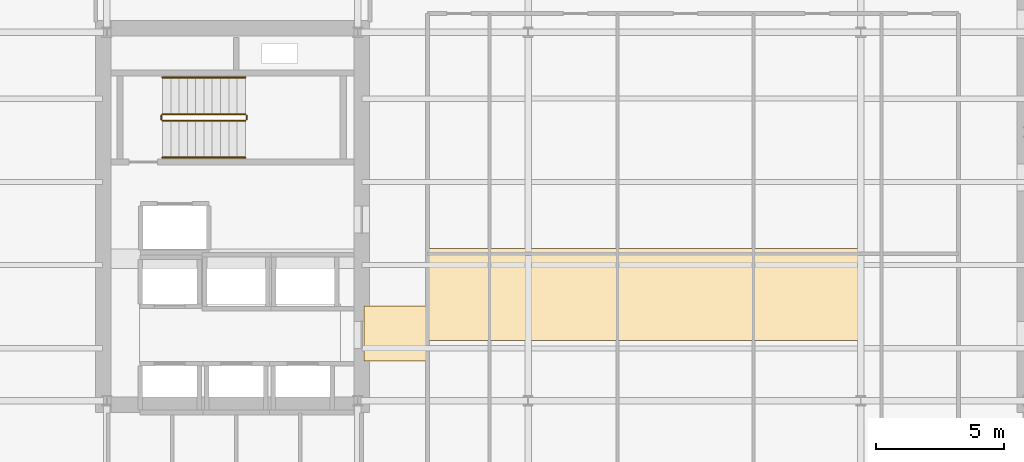
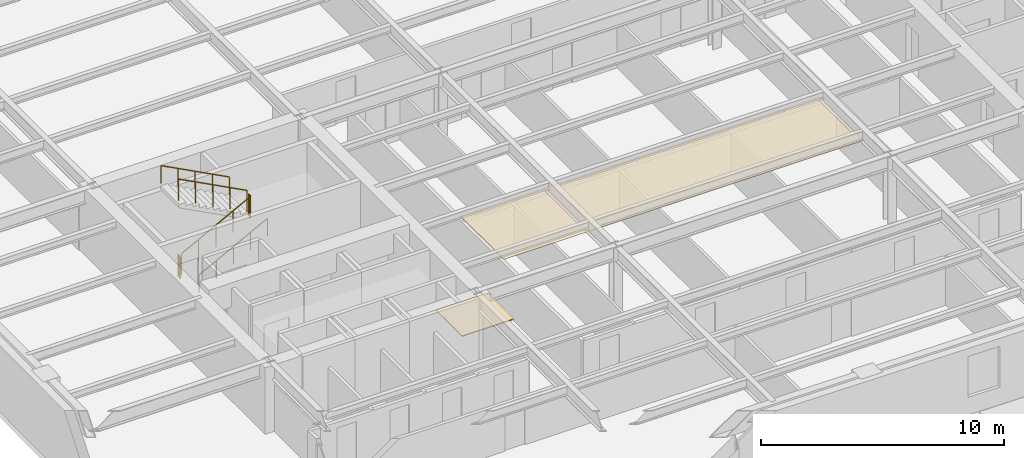
# One storey, part 9 of 11: 6 railings, 2 coverings.
"""IFC4 building model written with IfcOpenShell, lengths in metres."""

from ifc_helpers import new_model, si_unit, direction, frame, origin, origin_2d, place, context, subcontext, project, spatial, polyline, circle, outline, extrude, material, layer, layer_set, type_object, element, save


model = new_model("IFC4")

# Units and contexts
model_context = context("Model", 3, precision=1e-05, world=origin(), true_north=direction((0.0, 1.0)))
body_context = subcontext(model_context, "Body", "Model", "MODEL_VIEW")
ifc_project = project(units=[si_unit("LENGTHUNIT", "METRE"), si_unit("AREAUNIT", "SQUARE_METRE"), si_unit("VOLUMEUNIT", "CUBIC_METRE"), si_unit("PLANEANGLEUNIT", "RADIAN"), si_unit("MASSUNIT", "GRAM", prefix="KILO")], contexts=[model_context])

# Site, building, storey
site_placement = place(None, origin())
site = spatial("IfcSite", under=ifc_project, at=site_placement, CompositionType="ELEMENT")
building_placement = place(site_placement, origin())
building = spatial("IfcBuilding", under=site, at=building_placement, Name="Kolvaren Arena Tower", CompositionType="ELEMENT")
storey_placement = place(building_placement, frame((0.0, 0.0, 207.199951171875)))
storey = spatial("IfcBuildingStorey", under=building, at=storey_placement, Name="L50", CompositionType="ELEMENT", Elevation=207.199951171875)

# Coverings
ifc_material_1 = material(Name="Mineral fibre acoustic ceiling tile", Category="gypsum")
ifc_layer_1 = layer(ifc_material_1, 0.02490234375)
ifc_layer_set_1 = layer_set([ifc_layer_1], Name="Mineral fibre acoustic ceiling tile")
covering_type_1 = type_object("IfcCoveringType", Name="CEIL-ACT-1", PredefinedType="CEILING", material=ifc_layer_set_1)
covering_1_placement = place(storey_placement, frame((0.0, 0.0, 2.52001953125)))
element("IfcCovering", 1, at=covering_1_placement, inside=storey, type_object=covering_type_1, Name="Suspended Ceiling (L50)", PredefinedType="CEILING", context=body_context, shape_type="SweptSolid", body=[
    extrude(outline(polyline([(27.050048828125, 21.800048828125), (27.050048828125, 25.39990234375), (44.10009765625, 25.39990234375), (44.10009765625, 21.800048828125), (27.050048828125, 21.800048828125)])), origin(), (0.0, 0.0, 1.0), 0.025146484375),
])
ifc_material_2 = material(Name="Raised access office floor finish", Category="aluminium")
ifc_layer_2 = layer(ifc_material_2, 0.044921875)
ifc_layer_set_2 = layer_set([ifc_layer_2], Name="Raised access office floor finish")
covering_type_2 = type_object("IfcCoveringType", Name="FLOR-RAF-1", PredefinedType="FLOORING", material=ifc_layer_set_2)
covering_2_placement = place(storey_placement, origin())
element("IfcCovering", 2, at=covering_2_placement, inside=storey, type_object=covering_type_2, Name="Floor Finish (L50)", PredefinedType="FLOORING", context=body_context, shape_type="SweptSolid", body=[
    extrude(outline(polyline([(24.60009765625, 21.0), (24.60009765625, 23.14990234375), (27.080078125, 23.14990234375), (27.080078125, 21.0), (24.60009765625, 21.0)])), origin(), (0.0, 0.0, 1.0), 0.045166015625),
])

# Railings
ifc_material_3 = material(Name="Painted galvanized steel", Category="steel")
railing_type_1 = type_object("IfcRailingType", Name="GUARD-ST-110", PredefinedType="GUARDRAIL", material=ifc_material_3)
railing_1_placement = place(storey_placement, frame((16.719970703125, 30.389892578125, 0.17041015625)))
element("IfcRailing", 3, at=railing_1_placement, inside=storey, type_object=railing_type_1, Name="L50 ST-W1 stair guard 1", PredefinedType="GUARDRAIL", context=body_context, shape_type="SweptSolid", body=[
    extrude(circle(Radius=0.02392578125, at=origin_2d()), frame((0.0, 0.0, 1.076171875), z_axis=(0.884993431791, 0.0, 0.465603506952), x_axis=(0.0, 1.0, 0.0)), (0.0, 0.0, 1.0), 3.6611328125),
    extrude(circle(Radius=0.02099609375, at=origin_2d()), origin(), (0.0, 0.0, 1.0), 1.052001953125),
    extrude(circle(Radius=0.02099609375, at=origin_2d()), frame((0.81005859375, 0.0, 0.42626953125)), (0.0, 0.0, 1.0), 1.052001953125),
    extrude(circle(Radius=0.02099609375, at=origin_2d()), frame((1.6201171875, 0.0, 0.852294921875)), (0.0, 0.0, 1.0), 1.052001953125),
    extrude(circle(Radius=0.02099609375, at=origin_2d()), frame((2.429931640625, 0.0, 1.2783203125)), (0.0, 0.0, 1.0), 1.052001953125),
    extrude(circle(Radius=0.02099609375, at=origin_2d()), frame((3.239990234375, 0.0, 1.70458984375)), (0.0, 0.0, 1.0), 1.052001953125),
])
railing_2_placement = place(storey_placement, frame((20.010009765625, 30.43994140625, 1.875)))
element("IfcRailing", 4, at=railing_2_placement, inside=storey, type_object=railing_type_1, Name="L50 ST-W1 stair guard 2", PredefinedType="GUARDRAIL", context=body_context, shape_type="SweptSolid", body=[
    extrude(circle(Radius=0.02392578125, at=origin_2d()), frame((0.0, 0.0, 1.076171875), z_axis=(0.0, 1.0, 0.0), x_axis=(-1.0, 0.0, 0.0)), (0.0, 0.0, 1.0), 0.150146484375),
    extrude(circle(Radius=0.02099609375, at=origin_2d()), origin(), (0.0, 0.0, 1.0), 1.052001953125),
    extrude(circle(Radius=0.02099609375, at=origin_2d()), frame((0.0, 0.150146484375, 0.0)), (0.0, 0.0, 1.0), 1.052001953125),
])
railing_3_placement = place(storey_placement, frame((19.9599609375, 30.639892578125, 2.04541015625)))
element("IfcRailing", 5, at=railing_3_placement, inside=storey, type_object=railing_type_1, Name="L50 ST-W1 stair guard 3", PredefinedType="GUARDRAIL", context=body_context, shape_type="SweptSolid", body=[
    extrude(circle(Radius=0.02392578125, at=origin_2d()), frame((0.0, 0.0, 1.076171875), z_axis=(-0.884993431791, 0.0, 0.465603506952), x_axis=(0.0, -1.0, 0.0)), (0.0, 0.0, 1.0), 3.6611328125),
    extrude(circle(Radius=0.02099609375, at=origin_2d()), origin(), (0.0, 0.0, 1.0), 1.052001953125),
    extrude(circle(Radius=0.02099609375, at=origin_2d()), frame((-0.81005859375, 0.0, 0.42626953125)), (0.0, 0.0, 1.0), 1.052001953125),
    extrude(circle(Radius=0.02099609375, at=origin_2d()), frame((-1.6201171875, 0.0, 0.852294921875)), (0.0, 0.0, 1.0), 1.052001953125),
    extrude(circle(Radius=0.02099609375, at=origin_2d()), frame((-2.429931640625, 0.0, 1.2783203125)), (0.0, 0.0, 1.0), 1.052001953125),
    extrude(circle(Radius=0.02099609375, at=origin_2d()), frame((-3.239990234375, 0.0, 1.70458984375)), (0.0, 0.0, 1.0), 1.052001953125),
])
railing_4_placement = place(storey_placement, frame((16.669921875, 30.43994140625, 0.0)))
element("IfcRailing", 6, at=railing_4_placement, inside=storey, type_object=railing_type_1, Name="L50 ST-W1 stair guard 4", PredefinedType="GUARDRAIL", context=body_context, shape_type="SweptSolid", body=[
    extrude(circle(Radius=0.02392578125, at=origin_2d()), frame((0.0, 0.0, 1.076171875), z_axis=(0.0, 1.0, 0.0), x_axis=(-1.0, 0.0, 0.0)), (0.0, 0.0, 1.0), 0.150146484375),
    extrude(circle(Radius=0.02099609375, at=origin_2d()), origin(), (0.0, 0.0, 1.0), 1.052001953125),
    extrude(circle(Radius=0.02099609375, at=origin_2d()), frame((0.0, 0.150146484375, 0.0)), (0.0, 0.0, 1.0), 1.052001953125),
])
ifc_material_4 = material(Name="Brushed stainless steel handrail", Category="steel")
railing_type_2 = type_object("IfcRailingType", Name="HRAIL-900", PredefinedType="HANDRAIL", material=ifc_material_4)
railing_5_placement = place(storey_placement, frame((16.719970703125, 28.949951171875, 0.17041015625)))
element("IfcRailing", 7, at=railing_5_placement, inside=storey, type_object=railing_type_2, Name="L50 ST-W1 stair handrail 1", PredefinedType="HANDRAIL", context=body_context, shape_type="SweptSolid", body=[
    extrude(circle(Radius=0.02392578125, at=origin_2d()), frame((0.0, 0.0, 0.8759765625), z_axis=(0.884993431791, 0.0, 0.465603506952), x_axis=(0.0, 1.0, 0.0)), (0.0, 0.0, 1.0), 3.6611328125),
    extrude(circle(Radius=0.02099609375, at=origin_2d()), origin(), (0.0, 0.0, 1.0), 0.851806640625),
    extrude(circle(Radius=0.02099609375, at=origin_2d()), frame((0.81005859375, 0.0, 0.42626953125)), (0.0, 0.0, 1.0), 0.851806640625),
    extrude(circle(Radius=0.02099609375, at=origin_2d()), frame((1.6201171875, 0.0, 0.852294921875)), (0.0, 0.0, 1.0), 0.851806640625),
    extrude(circle(Radius=0.02099609375, at=origin_2d()), frame((2.429931640625, 0.0, 1.2783203125)), (0.0, 0.0, 1.0), 0.851806640625),
    extrude(circle(Radius=0.02099609375, at=origin_2d()), frame((3.239990234375, 0.0, 1.70458984375)), (0.0, 0.0, 1.0), 0.851806640625),
])
railing_6_placement = place(storey_placement, frame((19.9599609375, 32.080078125, 2.04541015625)))
element("IfcRailing", 8, at=railing_6_placement, inside=storey, type_object=railing_type_2, Name="L50 ST-W1 stair handrail 2", PredefinedType="HANDRAIL", context=body_context, shape_type="SweptSolid", body=[
    extrude(circle(Radius=0.02392578125, at=origin_2d()), frame((0.0, 0.0, 0.8759765625), z_axis=(-0.884993431791, 0.0, 0.465603506952), x_axis=(0.0, -1.0, 0.0)), (0.0, 0.0, 1.0), 3.6611328125),
    extrude(circle(Radius=0.02099609375, at=origin_2d()), origin(), (0.0, 0.0, 1.0), 0.851806640625),
    extrude(circle(Radius=0.02099609375, at=origin_2d()), frame((-0.81005859375, 0.0, 0.42626953125)), (0.0, 0.0, 1.0), 0.851806640625),
    extrude(circle(Radius=0.02099609375, at=origin_2d()), frame((-1.6201171875, 0.0, 0.852294921875)), (0.0, 0.0, 1.0), 0.851806640625),
    extrude(circle(Radius=0.02099609375, at=origin_2d()), frame((-2.429931640625, 0.0, 1.2783203125)), (0.0, 0.0, 1.0), 0.851806640625),
    extrude(circle(Radius=0.02099609375, at=origin_2d()), frame((-3.239990234375, 0.0, 1.70458984375)), (0.0, 0.0, 1.0), 0.851806640625),
])

save(model, "model.ifc")
